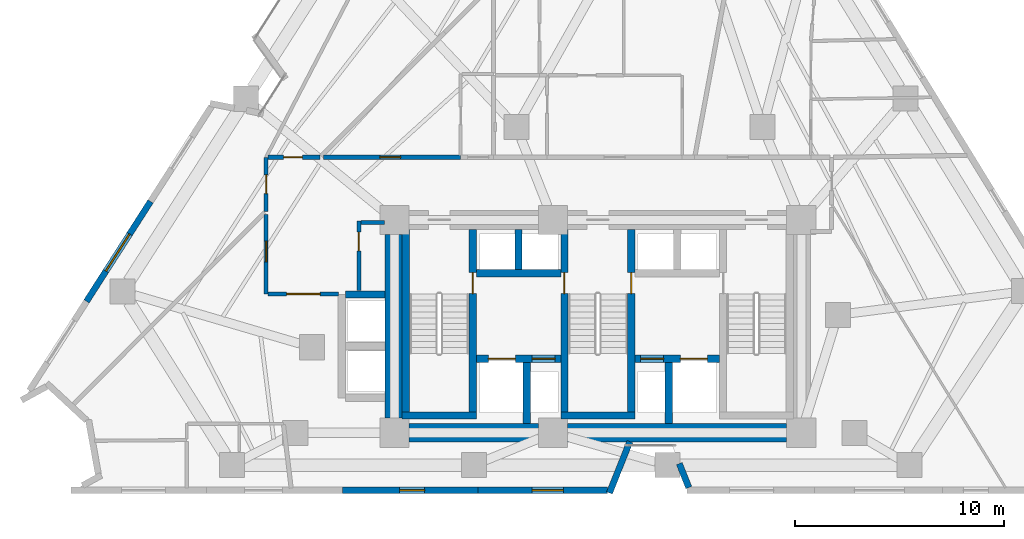
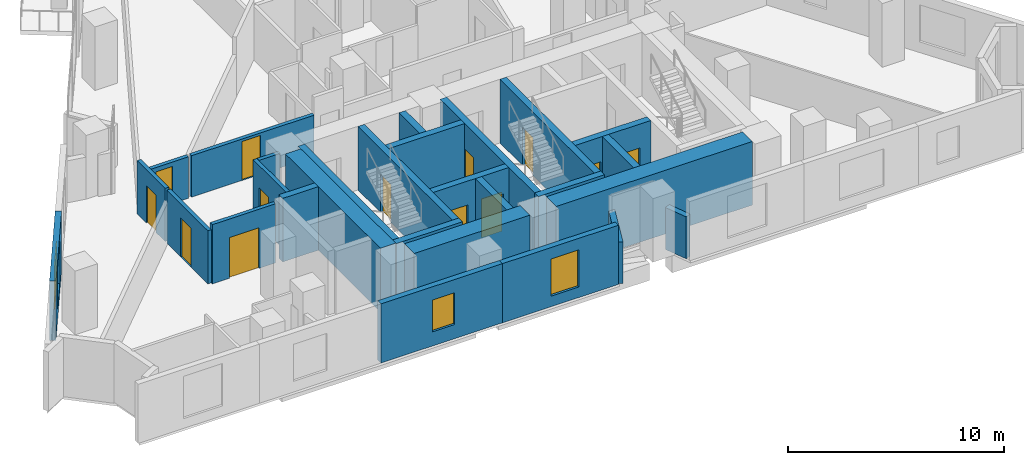
# One storey, part 6 of 13: 28 walls, 13 doors, 3 windows, 16 openings.
"""IFC4 building model written with IfcOpenShell, lengths in metres."""

from ifc_helpers import new_model, si_unit, direction, frame, frame_2d, origin, place, context, subcontext, project, spatial, rectangle, extrude, material, layer, layer_set, type_object, element, fill, save


model = new_model("IFC4")

# Units and contexts
model_context = context("Model", 3, precision=1e-05, world=origin(), true_north=direction((0.0, 1.0)))
body_context = subcontext(model_context, "Body", "Model", "MODEL_VIEW")
ifc_project = project(units=[si_unit("LENGTHUNIT", "METRE"), si_unit("AREAUNIT", "SQUARE_METRE"), si_unit("VOLUMEUNIT", "CUBIC_METRE"), si_unit("PLANEANGLEUNIT", "RADIAN"), si_unit("MASSUNIT", "GRAM", prefix="KILO")], contexts=[model_context])

# Site, building, storey
site_placement = place(None, origin())
site = spatial("IfcSite", under=ifc_project, at=site_placement, CompositionType="ELEMENT")
building_placement = place(site_placement, origin())
building = spatial("IfcBuilding", under=site, at=building_placement, Name="Almagre Mirador Tower", CompositionType="ELEMENT")
storey_placement = place(building_placement, frame((0.0, 0.0, 78.60009765625)))
storey = spatial("IfcBuildingStorey", under=building, at=storey_placement, Name="L19", CompositionType="ELEMENT", Elevation=78.60009765625)

# Walls
ifc_material_1 = material(Name="Precast concrete C50/60", Category="concrete")
ifc_layer_1 = layer(ifc_material_1, 0.300048828125)
ifc_layer_set_1 = layer_set([ifc_layer_1], Name="Precast concrete C50/60")
wall_type_1 = type_object("IfcWallType", Name="WAL-EXT-300", PredefinedType="SOLIDWALL", material=ifc_layer_set_1)
wall_1_placement = place(storey_placement, frame((41.658203125, 1.92529296875, 0.0), z_axis=(0.0, 0.0, 1.0), x_axis=(-0.369583004586, 0.929197719929, 0.0)))
element("IfcWall", 1, at=wall_1_placement, inside=storey, type_object=wall_type_1, Name="L19 expressed almagre precast frame wall 25", PredefinedType="SOLIDWALL", context=body_context, shape_type="SweptSolid", body=[
    extrude(rectangle(XDim=1.234619140625, YDim=0.300048828125, at=frame_2d((0.6171875, 0.0))), origin(), (0.0, 0.0, 1.0), 2.375),
])
wall_2_placement = place(storey_placement, frame((38.83251953125, 4.124755859375, 0.0), z_axis=(0.0, 0.0, 1.0), x_axis=(-0.369557636099, -0.929207809696, 0.0)))
element("IfcWall", 2, at=wall_2_placement, inside=storey, type_object=wall_type_1, Name="L19 expressed almagre precast frame wall 26", PredefinedType="SOLIDWALL", context=body_context, shape_type="SweptSolid", body=[
    extrude(rectangle(XDim=2.641845703125, YDim=0.300048828125, at=frame_2d((1.32080078125, 0.0))), origin(), (0.0, 0.0, 1.0), 2.349853515625),
])

# Wall, opening, window
wall_3_placement = place(storey_placement, frame((37.77294921875, 1.800048828125, 0.0), z_axis=(0.0, 0.0, 1.0), x_axis=(-1.0, 0.0, 0.0)))
wall_3 = element("IfcWall", 3, at=wall_3_placement, inside=storey, type_object=wall_type_1, Name="L19 expressed almagre precast frame wall 27", PredefinedType="SOLIDWALL", context=body_context, shape_type="SweptSolid", body=[
    extrude(rectangle(XDim=6.221923828125, YDim=0.300048828125, at=frame_2d((3.11083984375, 0.0))), origin(), (0.0, 0.0, 1.0), 3.349853515625),
])
opening_1_placement = place(wall_3_placement, frame((2.125, 0.0, 0.60009765625)))
opening_1 = element("IfcOpeningElement", 4, at=opening_1_placement, cuts=wall_3, Name="Opening WN-03", PredefinedType="OPENING", context=body_context, shape_type="SweptSolid", body=[
    extrude(rectangle(XDim=1.5, YDim=2.10009765625, at=frame_2d((0.75, 1.050048828125))), frame((0.0, 0.159902, 0.0), z_axis=(0.0, -1.0, 0.0), x_axis=(1.0, 0.0, 0.0)), (0.0, 0.0, 1.0), 0.320049),
])
ifc_material_2 = material(Name="Dark solar-control laminated hurricane glass", Category="glass")
window_type_1 = type_object("IfcWindowType", Name="WIN-1500X2100", PartitioningType="DOUBLE_PANEL_VERTICAL", PredefinedType="WINDOW", material=ifc_material_2)
window_1_placement = place(opening_1_placement, origin())
window_1 = element("IfcWindow", 5, at=window_1_placement, inside=storey, type_object=window_type_1, Name="L19 recessed hurricane window L19-RST-B", OverallHeight=2.10009765625, OverallWidth=1.5, PartitioningType="SINGLE_PANEL", PredefinedType="WINDOW", context=body_context, shape_type="SweptSolid", body=[
    extrude(rectangle(XDim=1.5, YDim=2.10009765625, at=frame_2d((0.75, 1.050048828125))), frame((0.0, 0.030029296875, 0.0), z_axis=(0.0, -1.0, 0.0), x_axis=(1.0, 0.0, 0.0)), (0.0, 0.0, 1.0), 0.06005859375),
])
fill(opening_1, window_1)

wall_4_placement = place(storey_placement, frame((31.551025390625, 1.800048828125, 0.0), z_axis=(0.0, 0.0, 1.0), x_axis=(-1.0, 0.0, 0.0)))
wall_4 = element("IfcWall", 6, at=wall_4_placement, inside=storey, type_object=wall_type_1, Name="L19 expressed almagre precast frame wall 28", PredefinedType="SOLIDWALL", context=body_context, shape_type="SweptSolid", body=[
    extrude(rectangle(XDim=6.4970703125, YDim=0.300048828125, at=frame_2d((3.24853515625, 0.0))), origin(), (0.0, 0.0, 1.0), 3.349853515625),
])
opening_2_placement = place(wall_4_placement, frame((2.550048828125, 0.0, 0.800048828125)))
opening_2 = element("IfcOpeningElement", 7, at=opening_2_placement, cuts=wall_4, Name="Opening WN-04", PredefinedType="OPENING", context=body_context, shape_type="SweptSolid", body=[
    extrude(rectangle(XDim=1.199951171875, YDim=1.800048828125, at=frame_2d((0.60009765625, 0.89990234375))), frame((0.0, 0.159902, 0.0), z_axis=(0.0, -1.0, 0.0), x_axis=(1.0, 0.0, 0.0)), (0.0, 0.0, 1.0), 0.320049),
])
ifc_material_3 = material(Name="Dark solar-control laminated hurricane glass", Category="glass")
window_type_2 = type_object("IfcWindowType", Name="WIN-1200X1800", PartitioningType="SINGLE_PANEL", PredefinedType="WINDOW", material=ifc_material_3)
window_2_placement = place(opening_2_placement, origin())
window_2 = element("IfcWindow", 8, at=window_2_placement, inside=storey, type_object=window_type_2, Name="L19 recessed hurricane window L19-RST-B", OverallHeight=1.800048828125, OverallWidth=1.199951171875, PartitioningType="SINGLE_PANEL", PredefinedType="WINDOW", context=body_context, shape_type="SweptSolid", body=[
    extrude(rectangle(XDim=1.199951171875, YDim=1.800048828125, at=frame_2d((0.60009765625, 0.89990234375))), frame((0.0, 0.030029296875, 0.0), z_axis=(0.0, -1.0, 0.0), x_axis=(1.0, 0.0, 0.0)), (0.0, 0.0, 1.0), 0.06005859375),
])
fill(opening_2, window_2)

wall_5_placement = place(storey_placement, frame((12.796875, 10.84765625, 0.0), z_axis=(0.0, 0.0, 1.0), x_axis=(0.539467898562, 0.842006167686, 0.0)))
wall_5 = element("IfcWall", 9, at=wall_5_placement, inside=storey, type_object=wall_type_1, Name="L19 expressed almagre precast frame wall 36", PredefinedType="SOLIDWALL", context=body_context, shape_type="SweptSolid", body=[
    extrude(rectangle(XDim=5.68603515625, YDim=0.300048828125, at=frame_2d((2.843017578125, 0.0))), origin(), (0.0, 0.0, 1.0), 3.349853515625),
])
opening_3_placement = place(wall_5_placement, frame((1.72509765625, 0.0, 0.550048828125)))
opening_3 = element("IfcOpeningElement", 10, at=opening_3_placement, cuts=wall_5, Name="Opening WN-05", PredefinedType="OPENING", context=body_context, shape_type="SweptSolid", body=[
    extrude(rectangle(XDim=2.10009765625, YDim=2.39990234375, at=frame_2d((1.050048828125, 1.199951171875))), frame((0.0, 0.159902, 0.0), z_axis=(0.0, -1.0, 0.0), x_axis=(1.0, 0.0, 0.0)), (0.0, 0.0, 1.0), 0.320049),
])
ifc_material_4 = material(Name="Dark solar-control laminated hurricane glass", Category="glass")
window_type_3 = type_object("IfcWindowType", Name="WIN-2100X2400", PartitioningType="DOUBLE_PANEL_VERTICAL", PredefinedType="WINDOW", material=ifc_material_4)
window_3_placement = place(opening_3_placement, origin())
window_3 = element("IfcWindow", 11, at=window_3_placement, inside=storey, type_object=window_type_3, Name="L19 recessed hurricane window L19-RST-E", OverallHeight=2.39990234375, OverallWidth=2.10009765625, PartitioningType="SINGLE_PANEL", PredefinedType="WINDOW", context=body_context, shape_type="SweptSolid", body=[
    extrude(rectangle(XDim=2.10009765625, YDim=2.39990234375, at=frame_2d((1.050048828125, 1.199951171875))), frame((0.0, 0.030029296875, 0.0), z_axis=(0.0, -1.0, 0.0), x_axis=(1.0, 0.0, 0.0)), (0.0, 0.0, 1.0), 0.06005859375),
])
fill(opening_3, window_3)

# Wall, opening, door
ifc_material_5 = material(Name="Gypsum acoustic stud partition", Category="other")
ifc_layer_2 = layer(ifc_material_5, 0.199951171875)
ifc_layer_set_2 = layer_set([ifc_layer_2], Name="Gypsum acoustic stud partition")
wall_type_2 = type_object("IfcWallType", Name="WAL-PRT-200-EI60", PredefinedType="PARTITIONING", material=ifc_layer_set_2)
wall_6_placement = place(storey_placement, frame((25.85009765625, 11.3701171875, 0.0), z_axis=(0.0, 0.0, 1.0), x_axis=(0.0, 1.0, 0.0)))
wall_6 = element("IfcWall", 12, at=wall_6_placement, inside=storey, type_object=wall_type_2, Name="L19 core ancillary west wall", PredefinedType="PARTITIONING", context=body_context, shape_type="SweptSolid", body=[
    extrude(rectangle(XDim=3.33984375, YDim=0.199951171875, at=frame_2d((1.669921875, 0.0))), origin(), (0.0, 0.0, 1.0), 3.349853515625),
])
opening_4_placement = place(wall_6_placement, frame((1.89990234375, 0.0, 0.0)))
opening_4 = element("IfcOpeningElement", 13, at=opening_4_placement, cuts=wall_6, Name="Opening ID-03", PredefinedType="OPENING", context=body_context, shape_type="SweptSolid", body=[
    extrude(rectangle(XDim=0.89990234375, YDim=2.10009765625, at=frame_2d((0.449951171875, 1.050048828125))), frame((0.0, 0.110098, 0.0), z_axis=(0.0, -1.0, 0.0), x_axis=(1.0, 0.0, 0.0)), (0.0, 0.0, 1.0), 0.219951),
])
ifc_material_6 = material(Name="Fire-rated hollow steel", Category="steel")
door_type_1 = type_object("IfcDoorType", Name="DOR-FD60-900X2100", OperationType="NOTDEFINED", PredefinedType="DOOR", material=ifc_material_6)
door_1_placement = place(opening_4_placement, origin())
door_1 = element("IfcDoor", 14, at=door_1_placement, inside=storey, type_object=door_type_1, Name="DR-0637 L19 core ancillary corridor door", OperationType="SINGLE_SWING_RIGHT", OverallHeight=2.10009765625, OverallWidth=0.89990234375, PredefinedType="DOOR", context=body_context, shape_type="SweptSolid", body=[
    extrude(rectangle(XDim=0.89990234375, YDim=2.10009765625, at=frame_2d((0.449951171875, 1.050048828125))), frame((0.0, 0.02490234375, 0.0), z_axis=(0.0, -1.0, 0.0), x_axis=(1.0, 0.0, 0.0)), (0.0, 0.0, 1.0), 0.050048828125),
])
fill(opening_4, door_1)

# Wall
wall_7_placement = place(storey_placement, frame((25.955078125, 14.6201171875, 0.0), z_axis=(0.0, 0.0, 1.0), x_axis=(1.0, 0.0, 0.0)))
element("IfcWall", 15, at=wall_7_placement, inside=storey, type_object=wall_type_2, Name="L19 core ancillary north wall", PredefinedType="PARTITIONING", context=body_context, shape_type="SweptSolid", body=[
    extrude(rectangle(XDim=1.1298828125, YDim=0.199951171875, at=frame_2d((0.56494140625, 0.0))), origin(), (0.0, 0.0, 1.0), 3.349853515625),
])

# Wall, opening, door
wall_8_placement = place(storey_placement, frame((21.39990234375, 15.0, 0.0), z_axis=(0.0, 0.0, 1.0), x_axis=(0.0, -1.0, 0.0)))
wall_8 = element("IfcWall", 16, at=wall_8_placement, inside=storey, type_object=wall_type_2, Name="L19 interior partition 001", PredefinedType="PARTITIONING", context=body_context, shape_type="SweptSolid", body=[
    extrude(rectangle(XDim=3.800048828125, YDim=0.199951171875, at=frame_2d((1.89990234375, 0.0))), origin(), (0.0, 0.0, 1.0), 3.010009765625),
])
opening_5_placement = place(wall_8_placement, frame((1.26171875, 0.0, 0.0)))
opening_5 = element("IfcOpeningElement", 17, at=opening_5_placement, cuts=wall_8, Name="Opening ID-01", PredefinedType="OPENING", context=body_context, shape_type="SweptSolid", body=[
    extrude(rectangle(XDim=1.0, YDim=2.199951171875, at=frame_2d((0.5, 1.10009765625))), frame((0.0, 0.110098, 0.0), z_axis=(0.0, -1.0, 0.0), x_axis=(1.0, 0.0, 0.0)), (0.0, 0.0, 1.0), 0.219951),
])
ifc_material_7 = material(Name="Fire-rated walnut timber", Category="wood")
door_type_2 = type_object("IfcDoorType", Name="DOR-FD60-1000X2200", OperationType="NOTDEFINED", PredefinedType="DOOR", material=ifc_material_7)
door_2_placement = place(opening_5_placement, origin())
door_2 = element("IfcDoor", 18, at=door_2_placement, inside=storey, type_object=door_type_2, Name="DR-0646 L19 interior door L19-RCOR to L19-UA-ST", OperationType="SINGLE_SWING_RIGHT", OverallHeight=2.199951171875, OverallWidth=1.0, PredefinedType="DOOR", context=body_context, shape_type="SweptSolid", body=[
    extrude(rectangle(XDim=1.0, YDim=2.199951171875, at=frame_2d((0.5, 1.10009765625))), frame((0.0, 0.02490234375, 0.0), z_axis=(0.0, -1.0, 0.0), x_axis=(1.0, 0.0, 0.0)), (0.0, 0.0, 1.0), 0.050048828125),
])
fill(opening_5, door_2)

wall_9_placement = place(storey_placement, frame((21.485107421875, 11.199951171875, 0.0), z_axis=(0.0, 0.0, 1.0), x_axis=(1.0, 0.0, 0.0)))
wall_9 = element("IfcWall", 19, at=wall_9_placement, inside=storey, type_object=wall_type_2, Name="L19 interior partition 002", PredefinedType="PARTITIONING", context=body_context, shape_type="SweptSolid", body=[
    extrude(rectangle(XDim=3.384033203125, YDim=0.199951171875, at=frame_2d((1.69189453125, 0.0))), origin(), (0.0, 0.0, 1.0), 3.349853515625),
])
opening_6_placement = place(wall_9_placement, frame((0.905029296875, 0.0, 0.0)))
opening_6 = element("IfcOpeningElement", 20, at=opening_6_placement, cuts=wall_9, Name="Opening ID-05", PredefinedType="OPENING", context=body_context, shape_type="SweptSolid", body=[
    extrude(rectangle(XDim=1.60009765625, YDim=2.300048828125, at=frame_2d((0.800048828125, 1.14990234375))), frame((0.0, 0.110098, 0.0), z_axis=(0.0, -1.0, 0.0), x_axis=(1.0, 0.0, 0.0)), (0.0, 0.0, 1.0), 0.219951),
])
ifc_material_8 = material(Name="Fire-rated acoustic timber", Category="wood")
door_type_3 = type_object("IfcDoorType", Name="DOR-FD60-1600X2300", OperationType="DOUBLE_DOOR_SINGLE_SWING", PredefinedType="DOOR", material=ifc_material_8)
door_3_placement = place(opening_6_placement, origin())
door_3 = element("IfcDoor", 21, at=door_3_placement, inside=storey, type_object=door_type_3, Name="DR-0642 L19 interior door L19-RCOR to L19-RST-B", OperationType="DOUBLE_DOOR_SINGLE_SWING", OverallHeight=2.300048828125, OverallWidth=1.60009765625, PredefinedType="DOOR", context=body_context, shape_type="SweptSolid", body=[
    extrude(rectangle(XDim=1.60009765625, YDim=2.300048828125, at=frame_2d((0.800048828125, 1.14990234375))), frame((0.0, 0.02490234375, 0.0), z_axis=(0.0, -1.0, 0.0), x_axis=(1.0, 0.0, 0.0)), (0.0, 0.0, 1.0), 0.050048828125),
])
fill(opening_6, door_3)

wall_10_placement = place(storey_placement, frame((21.39990234375, 17.75, 0.0), z_axis=(0.0, 0.0, 1.0), x_axis=(0.0, -1.0, 0.0)))
wall_10 = element("IfcWall", 22, at=wall_10_placement, inside=storey, type_object=wall_type_2, Name="L19 interior partition 006", PredefinedType="PARTITIONING", context=body_context, shape_type="SweptSolid", body=[
    extrude(rectangle(XDim=2.590087890625, YDim=0.199951171875, at=frame_2d((1.294921875, 0.0))), origin(), (0.0, 0.0, 1.0), 3.010009765625),
])
opening_7_placement = place(wall_10_placement, frame((0.844970703125, 0.0, 0.0)))
opening_7 = element("IfcOpeningElement", 23, at=opening_7_placement, cuts=wall_10, Name="Opening ID-03", PredefinedType="OPENING", context=body_context, shape_type="SweptSolid", body=[
    extrude(rectangle(XDim=0.89990234375, YDim=2.10009765625, at=frame_2d((0.449951171875, 1.050048828125))), frame((0.0, 0.110098, 0.0), z_axis=(0.0, -1.0, 0.0), x_axis=(1.0, 0.0, 0.0)), (0.0, 0.0, 1.0), 0.219951),
])
door_4_placement = place(opening_7_placement, origin())
door_4 = element("IfcDoor", 24, at=door_4_placement, inside=storey, type_object=door_type_1, Name="DR-0644 L19 interior door L19-RCOR to L19-RST-E", OperationType="SINGLE_SWING_RIGHT", OverallHeight=2.10009765625, OverallWidth=0.89990234375, PredefinedType="DOOR", context=body_context, shape_type="SweptSolid", body=[
    extrude(rectangle(XDim=0.89990234375, YDim=2.10009765625, at=frame_2d((0.449951171875, 1.050048828125))), frame((0.0, 0.02490234375, 0.0), z_axis=(0.0, -1.0, 0.0), x_axis=(1.0, 0.0, 0.0)), (0.0, 0.0, 1.0), 0.050048828125),
])
fill(opening_7, door_4)

wall_11_placement = place(storey_placement, frame((30.719970703125, 17.75, 0.0), z_axis=(0.0, 0.0, 1.0), x_axis=(-1.0, 0.0, 0.0)))
wall_11 = element("IfcWall", 25, at=wall_11_placement, inside=storey, type_object=wall_type_2, Name="L19 interior partition 007", PredefinedType="PARTITIONING", context=body_context, shape_type="SweptSolid", body=[
    extrude(rectangle(XDim=6.570068359375, YDim=0.199951171875, at=frame_2d((3.28515625, 0.0))), origin(), (0.0, 0.0, 1.0), 2.344970703125),
])
opening_8_placement = place(wall_11_placement, frame((2.864990234375, 0.0, 0.0)))
opening_8 = element("IfcOpeningElement", 26, at=opening_8_placement, cuts=wall_11, Name="Opening ID-01", PredefinedType="OPENING", context=body_context, shape_type="SweptSolid", body=[
    extrude(rectangle(XDim=1.0, YDim=2.199951171875, at=frame_2d((0.5, 1.10009765625))), frame((0.0, 0.110098, 0.0), z_axis=(0.0, -1.0, 0.0), x_axis=(1.0, 0.0, 0.0)), (0.0, 0.0, 1.0), 0.219951),
])
door_5_placement = place(opening_8_placement, origin())
door_5 = element("IfcDoor", 27, at=door_5_placement, inside=storey, type_object=door_type_2, Name="DR-0647 L19 interior door L19-RCOR to L19-UF-ST", OperationType="SINGLE_SWING_RIGHT", OverallHeight=2.199951171875, OverallWidth=1.0, PredefinedType="DOOR", context=body_context, shape_type="SweptSolid", body=[
    extrude(rectangle(XDim=1.0, YDim=2.199951171875, at=frame_2d((0.5, 1.10009765625))), frame((0.0, 0.02490234375, 0.0), z_axis=(0.0, -1.0, 0.0), x_axis=(1.0, 0.0, 0.0)), (0.0, 0.0, 1.0), 0.050048828125),
])
fill(opening_8, door_5)

wall_12_placement = place(storey_placement, frame((23.989990234375, 17.75, 0.0), z_axis=(0.0, 0.0, 1.0), x_axis=(-1.0, 0.0, 0.0)))
wall_12 = element("IfcWall", 28, at=wall_12_placement, inside=storey, type_object=wall_type_2, Name="L19 interior partition 009", PredefinedType="PARTITIONING", context=body_context, shape_type="SweptSolid", body=[
    extrude(rectangle(XDim=2.5048828125, YDim=0.199951171875, at=frame_2d((1.25244140625, 0.0))), origin(), (0.0, 0.0, 1.0), 2.344970703125),
])
opening_9_placement = place(wall_12_placement, frame((0.844970703125, 0.0, 0.0)))
opening_9 = element("IfcOpeningElement", 29, at=opening_9_placement, cuts=wall_12, Name="Opening ID-03", PredefinedType="OPENING", context=body_context, shape_type="SweptSolid", body=[
    extrude(rectangle(XDim=0.89990234375, YDim=2.10009765625, at=frame_2d((0.449951171875, 1.050048828125))), frame((0.0, 0.110098, 0.0), z_axis=(0.0, -1.0, 0.0), x_axis=(1.0, 0.0, 0.0)), (0.0, 0.0, 1.0), 0.219951),
])
door_6_placement = place(opening_9_placement, origin())
door_6 = element("IfcDoor", 30, at=door_6_placement, inside=storey, type_object=door_type_1, Name="DR-0645 L19 interior door L19-RCOR to L19-RST-G", OperationType="SINGLE_SWING_LEFT", OverallHeight=2.10009765625, OverallWidth=0.89990234375, PredefinedType="DOOR", context=body_context, shape_type="SweptSolid", body=[
    extrude(rectangle(XDim=0.89990234375, YDim=2.10009765625, at=frame_2d((0.449951171875, 1.050048828125))), frame((0.0, 0.02490234375, 0.0), z_axis=(0.0, -1.0, 0.0), x_axis=(1.0, 0.0, 0.0)), (0.0, 0.0, 1.0), 0.050048828125),
])
fill(opening_9, door_6)

# Wall
ifc_material_9 = material(Name="Concrete C60/75", Category="concrete")
ifc_layer_3 = layer(ifc_material_9, 0.35009765625)
ifc_layer_set_3 = layer_set([ifc_layer_3], Name="Concrete C60/75")
wall_type_3 = type_object("IfcWallType", Name="WAL-SHF-350", PredefinedType="SOLIDWALL", material=ifc_layer_set_3)
wall_13_placement = place(storey_placement, frame((28.10009765625, 5.199951171875, 0.0), z_axis=(0.0, 0.0, 1.0), x_axis=(0.0, 1.0, 0.0)))
element("IfcWall", 31, at=wall_13_placement, inside=storey, type_object=wall_type_3, Name="L19 shaft wall ST1-W", PredefinedType="SOLIDWALL", context=body_context, shape_type="SweptSolid", body=[
    extrude(rectangle(XDim=9.10009765625, YDim=0.35009765625, at=frame_2d((4.550048828125, 0.0))), origin(), (0.0, 0.0, 1.0), 3.599853515625),
])

# Wall, opening, door
wall_14_placement = place(storey_placement, frame((31.300048828125, 5.199951171875, 0.0), z_axis=(0.0, 0.0, 1.0), x_axis=(0.0, 1.0, 0.0)))
wall_14 = element("IfcWall", 32, at=wall_14_placement, inside=storey, type_object=wall_type_3, Name="L19 shaft wall ST1-E", PredefinedType="SOLIDWALL", context=body_context, shape_type="SweptSolid", body=[
    extrude(rectangle(XDim=9.10009765625, YDim=0.35009765625, at=frame_2d((4.550048828125, 0.0))), origin(), (0.0, 0.0, 1.0), 3.599853515625),
])
opening_10_placement = place(wall_14_placement, frame((6.02001953125, 0.0, 0.0)))
opening_10 = element("IfcOpeningElement", 33, at=opening_10_placement, cuts=wall_14, Name="Opening FD-01", PredefinedType="OPENING", context=body_context, shape_type="SweptSolid", body=[
    extrude(rectangle(XDim=1.0, YDim=2.14990234375, at=frame_2d((0.5, 1.074951171875))), frame((0.0, 0.185049, 0.0), z_axis=(0.0, -1.0, 0.0), x_axis=(1.0, 0.0, 0.0)), (0.0, 0.0, 1.0), 0.370098),
])
ifc_material_10 = material(Name="Fire-rated hollow steel", Category="steel")
door_type_4 = type_object("IfcDoorType", Name="DOR-FFL-1000X2150", OperationType="NOTDEFINED", PredefinedType="DOOR", material=ifc_material_10)
door_7_placement = place(opening_10_placement, origin())
door_7 = element("IfcDoor", 34, at=door_7_placement, inside=storey, type_object=door_type_4, Name="DR-0638 L19 FFL1-ST1 smokeproof door", OperationType="SINGLE_SWING_RIGHT", OverallHeight=2.14990234375, OverallWidth=1.0, PredefinedType="DOOR", context=body_context, shape_type="SweptSolid", body=[
    extrude(rectangle(XDim=1.0, YDim=2.14990234375, at=frame_2d((0.5, 1.074951171875))), frame((0.0, 0.02490234375, 0.0), z_axis=(0.0, -1.0, 0.0), x_axis=(1.0, 0.0, 0.0)), (0.0, 0.0, 1.0), 0.050048828125),
])
fill(opening_10, door_7)

# Wall
wall_15_placement = place(storey_placement, frame((27.925048828125, 5.375, 0.0), z_axis=(0.0, 0.0, 1.0), x_axis=(1.0, 0.0, 0.0)))
element("IfcWall", 35, at=wall_15_placement, inside=storey, type_object=wall_type_3, Name="L19 shaft wall ST1-S", PredefinedType="SOLIDWALL", context=body_context, shape_type="SweptSolid", body=[
    extrude(rectangle(XDim=3.550048828125, YDim=0.35009765625, at=frame_2d((1.77490234375, 0.0))), origin(), (0.0, 0.0, 1.0), 3.599853515625),
])

# Wall, opening, door
wall_16_placement = place(storey_placement, frame((35.699951171875, 5.199951171875, 0.0), z_axis=(0.0, 0.0, 1.0), x_axis=(0.0, 1.0, 0.0)))
wall_16 = element("IfcWall", 36, at=wall_16_placement, inside=storey, type_object=wall_type_3, Name="L19 shaft wall ST2-W", PredefinedType="SOLIDWALL", context=body_context, shape_type="SweptSolid", body=[
    extrude(rectangle(XDim=9.10009765625, YDim=0.35009765625, at=frame_2d((4.550048828125, 0.0))), origin(), (0.0, 0.0, 1.0), 3.599853515625),
])
opening_11_placement = place(wall_16_placement, frame((6.02001953125, 0.0, 0.0)))
opening_11 = element("IfcOpeningElement", 37, at=opening_11_placement, cuts=wall_16, Name="Opening FD-01", PredefinedType="OPENING", context=body_context, shape_type="SweptSolid", body=[
    extrude(rectangle(XDim=1.0, YDim=2.14990234375, at=frame_2d((0.5, 1.074951171875))), frame((0.0, 0.185049, 0.0), z_axis=(0.0, -1.0, 0.0), x_axis=(1.0, 0.0, 0.0)), (0.0, 0.0, 1.0), 0.370098),
])
door_8_placement = place(opening_11_placement, origin())
door_8 = element("IfcDoor", 38, at=door_8_placement, inside=storey, type_object=door_type_4, Name="DR-0639 L19 FFL1-ST2 smokeproof door", OperationType="SINGLE_SWING_LEFT", OverallHeight=2.14990234375, OverallWidth=1.0, PredefinedType="DOOR", context=body_context, shape_type="SweptSolid", body=[
    extrude(rectangle(XDim=1.0, YDim=2.14990234375, at=frame_2d((0.5, 1.074951171875))), frame((0.0, 0.02490234375, 0.0), z_axis=(0.0, -1.0, 0.0), x_axis=(1.0, 0.0, 0.0)), (0.0, 0.0, 1.0), 0.050048828125),
])
fill(opening_11, door_8)

wall_17_placement = place(storey_placement, frame((38.89990234375, 5.199951171875, 0.0), z_axis=(0.0, 0.0, 1.0), x_axis=(0.0, 1.0, 0.0)))
wall_17 = element("IfcWall", 39, at=wall_17_placement, inside=storey, type_object=wall_type_3, Name="L19 shaft wall ST2-E", PredefinedType="SOLIDWALL", context=body_context, shape_type="SweptSolid", body=[
    extrude(rectangle(XDim=9.10009765625, YDim=0.35009765625, at=frame_2d((4.550048828125, 0.0))), origin(), (0.0, 0.0, 1.0), 3.599853515625),
])
opening_12_placement = place(wall_17_placement, frame((6.02001953125, 0.0, 0.0)))
opening_12 = element("IfcOpeningElement", 40, at=opening_12_placement, cuts=wall_17, Name="Opening FD-01", PredefinedType="OPENING", context=body_context, shape_type="SweptSolid", body=[
    extrude(rectangle(XDim=1.0, YDim=2.14990234375, at=frame_2d((0.5, 1.074951171875))), frame((0.0, 0.185049, 0.0), z_axis=(0.0, -1.0, 0.0), x_axis=(1.0, 0.0, 0.0)), (0.0, 0.0, 1.0), 0.370098),
])
door_9_placement = place(opening_12_placement, origin())
door_9 = element("IfcDoor", 41, at=door_9_placement, inside=storey, type_object=door_type_4, Name="DR-0640 L19 FFL2-ST2 smokeproof door", OperationType="SINGLE_SWING_RIGHT", OverallHeight=2.14990234375, OverallWidth=1.0, PredefinedType="DOOR", context=body_context, shape_type="SweptSolid", body=[
    extrude(rectangle(XDim=1.0, YDim=2.14990234375, at=frame_2d((0.5, 1.074951171875))), frame((0.0, 0.02490234375, 0.0), z_axis=(0.0, -1.0, 0.0), x_axis=(1.0, 0.0, 0.0)), (0.0, 0.0, 1.0), 0.050048828125),
])
fill(opening_12, door_9)

# Wall
wall_18_placement = place(storey_placement, frame((35.52490234375, 5.375, 0.0), z_axis=(0.0, 0.0, 1.0), x_axis=(1.0, 0.0, 0.0)))
element("IfcWall", 42, at=wall_18_placement, inside=storey, type_object=wall_type_3, Name="L19 shaft wall ST2-S", PredefinedType="SOLIDWALL", context=body_context, shape_type="SweptSolid", body=[
    extrude(rectangle(XDim=3.550048828125, YDim=0.35009765625, at=frame_2d((1.77490234375, 0.0))), origin(), (0.0, 0.0, 1.0), 3.599853515625),
])

# Wall, openings, doors
wall_19_placement = place(storey_placement, frame((31.47509765625, 8.10009765625, 0.0), z_axis=(0.0, 0.0, 1.0), x_axis=(1.0, 0.0, 0.0)))
wall_19 = element("IfcWall", 43, at=wall_19_placement, inside=storey, type_object=wall_type_3, Name="L19 shaft wall FSAE1-N", PredefinedType="SOLIDWALL", context=body_context, shape_type="SweptSolid", body=[
    extrude(rectangle(XDim=4.0498046875, YDim=0.35009765625, at=frame_2d((2.02490234375, 0.0))), origin(), (0.0, 0.0, 1.0), 3.599853515625),
])
opening_13_placement = place(wall_19_placement, frame((0.574951171875, 0.0, 0.0)))
opening_13 = element("IfcOpeningElement", 44, at=opening_13_placement, cuts=wall_19, Name="Opening LD-03", PredefinedType="OPENING", context=body_context, shape_type="SweptSolid", body=[
    extrude(rectangle(XDim=1.300048828125, YDim=2.25, at=frame_2d((0.64990234375, 1.125))), frame((0.0, 0.185049, 0.0), z_axis=(0.0, -1.0, 0.0), x_axis=(1.0, 0.0, 0.0)), (0.0, 0.0, 1.0), 0.370098),
])
opening_14_placement = place(wall_19_placement, frame((2.675048828125, 0.0, 0.0)))
opening_14 = element("IfcOpeningElement", 45, at=opening_14_placement, cuts=wall_19, Name="Opening LD-01", PredefinedType="OPENING", context=body_context, shape_type="SweptSolid", body=[
    extrude(rectangle(XDim=1.10009765625, YDim=2.199951171875, at=frame_2d((0.550048828125, 1.10009765625))), frame((0.0, 0.185049, 0.0), z_axis=(0.0, -1.0, 0.0), x_axis=(1.0, 0.0, 0.0)), (0.0, 0.0, 1.0), 0.370098),
])
ifc_material_11 = material(Name="Hollow stainless steel", Category="steel")
door_type_5 = type_object("IfcDoorType", Name="DOR-LD-1100X2200", OperationType="DOUBLE_DOOR_SLIDING", PredefinedType="DOOR", material=ifc_material_11)
door_10_placement = place(opening_14_placement, origin())
door_10 = element("IfcDoor", 46, at=door_10_placement, inside=storey, type_object=door_type_5, Name="DR-0669 L19 PL-L1 lift landing door", OperationType="DOUBLE_DOOR_SLIDING", OverallHeight=2.199951171875, OverallWidth=1.10009765625, PredefinedType="DOOR", context=body_context, shape_type="SweptSolid", body=[
    extrude(rectangle(XDim=1.10009765625, YDim=2.199951171875, at=frame_2d((0.550048828125, 1.10009765625))), frame((0.0, 0.02490234375, 0.0), z_axis=(0.0, -1.0, 0.0), x_axis=(1.0, 0.0, 0.0)), (0.0, 0.0, 1.0), 0.050048828125),
])
fill(opening_14, door_10)
ifc_material_12 = material(Name="Hollow stainless steel", Category="steel")
door_type_6 = type_object("IfcDoorType", Name="DOR-LD-1300X2250", OperationType="DOUBLE_DOOR_SLIDING", PredefinedType="DOOR", material=ifc_material_12)
door_11_placement = place(opening_13_placement, origin())
door_11 = element("IfcDoor", 47, at=door_11_placement, inside=storey, type_object=door_type_6, Name="DR-0667 L19 FSAE-1 lift landing door", OperationType="DOUBLE_DOOR_SLIDING", OverallHeight=2.25, OverallWidth=1.300048828125, PredefinedType="DOOR", context=body_context, shape_type="SweptSolid", body=[
    extrude(rectangle(XDim=1.300048828125, YDim=2.25, at=frame_2d((0.64990234375, 1.125))), frame((0.0, 0.02490234375, 0.0), z_axis=(0.0, -1.0, 0.0), x_axis=(1.0, 0.0, 0.0)), (0.0, 0.0, 1.0), 0.050048828125),
])
fill(opening_13, door_11)

wall_20_placement = place(storey_placement, frame((39.074951171875, 8.10009765625, 0.0), z_axis=(0.0, 0.0, 1.0), x_axis=(1.0, 0.0, 0.0)))
wall_20 = element("IfcWall", 48, at=wall_20_placement, inside=storey, type_object=wall_type_3, Name="L19 shaft wall FSAE2-N", PredefinedType="SOLIDWALL", context=body_context, shape_type="SweptSolid", body=[
    extrude(rectangle(XDim=4.050048828125, YDim=0.35009765625, at=frame_2d((2.02490234375, 0.0))), origin(), (0.0, 0.0, 1.0), 3.599853515625),
])
opening_15_placement = place(wall_20_placement, frame((2.175048828125, 0.0, 0.0)))
opening_15 = element("IfcOpeningElement", 49, at=opening_15_placement, cuts=wall_20, Name="Opening LD-03", PredefinedType="OPENING", context=body_context, shape_type="SweptSolid", body=[
    extrude(rectangle(XDim=1.300048828125, YDim=2.25, at=frame_2d((0.64990234375, 1.125))), frame((0.0, 0.185049, 0.0), z_axis=(0.0, -1.0, 0.0), x_axis=(1.0, 0.0, 0.0)), (0.0, 0.0, 1.0), 0.370098),
])
opening_16_placement = place(wall_20_placement, frame((0.27490234375, 0.0, 0.0)))
opening_16 = element("IfcOpeningElement", 50, at=opening_16_placement, cuts=wall_20, Name="Opening LD-01", PredefinedType="OPENING", context=body_context, shape_type="SweptSolid", body=[
    extrude(rectangle(XDim=1.10009765625, YDim=2.199951171875, at=frame_2d((0.550048828125, 1.10009765625))), frame((0.0, 0.185049, 0.0), z_axis=(0.0, -1.0, 0.0), x_axis=(1.0, 0.0, 0.0)), (0.0, 0.0, 1.0), 0.370098),
])
door_12_placement = place(opening_16_placement, origin())
door_12 = element("IfcDoor", 51, at=door_12_placement, inside=storey, type_object=door_type_5, Name="DR-0670 L19 PL-L2 lift landing door", OperationType="DOUBLE_DOOR_SLIDING", OverallHeight=2.199951171875, OverallWidth=1.10009765625, PredefinedType="DOOR", context=body_context, shape_type="SweptSolid", body=[
    extrude(rectangle(XDim=1.10009765625, YDim=2.199951171875, at=frame_2d((0.550048828125, 1.10009765625))), frame((0.0, 0.02490234375, 0.0), z_axis=(0.0, -1.0, 0.0), x_axis=(1.0, 0.0, 0.0)), (0.0, 0.0, 1.0), 0.050048828125),
])
fill(opening_16, door_12)
door_13_placement = place(opening_15_placement, origin())
door_13 = element("IfcDoor", 52, at=door_13_placement, inside=storey, type_object=door_type_6, Name="DR-0668 L19 FSAE-2 lift landing door", OperationType="DOUBLE_DOOR_SLIDING", OverallHeight=2.25, OverallWidth=1.300048828125, PredefinedType="DOOR", context=body_context, shape_type="SweptSolid", body=[
    extrude(rectangle(XDim=1.300048828125, YDim=2.25, at=frame_2d((0.64990234375, 1.125))), frame((0.0, 0.02490234375, 0.0), z_axis=(0.0, -1.0, 0.0), x_axis=(1.0, 0.0, 0.0)), (0.0, 0.0, 1.0), 0.050048828125),
])
fill(opening_15, door_13)

# Walls
for number, where, z_axis, x_axis, name in (
    (53, (33.89990234375, 5.0, 0.0), (0.0, 0.0, 1.0), (0.0, 1.0, 0.0), "L19 shaft wall FSAE1-E"),
    (54, (40.699951171875, 5.0, 0.0), (0.0, 0.0, 1.0), (0.0, 1.0, 0.0), "L19 shaft wall FSAE2-W"),
):
    element("IfcWall", number, at=place(storey_placement, frame(where, z_axis=z_axis, x_axis=x_axis)), inside=storey, type_object=wall_type_3, Name=name, PredefinedType="SOLIDWALL", context=body_context, shape_type="SweptSolid", body=[
        extrude(rectangle(XDim=2.925048828125, YDim=0.35009765625, at=frame_2d((1.46240234375, 0.0))), origin(), (0.0, 0.0, 1.0), 3.599853515625),
    ])
wall_21_placement = place(storey_placement, frame((31.47509765625, 12.199951171875, 0.0), z_axis=(0.0, 0.0, 1.0), x_axis=(1.0, 0.0, 0.0)))
element("IfcWall", 55, at=wall_21_placement, inside=storey, type_object=wall_type_3, Name="L19 shaft wall PLM-S", PredefinedType="SOLIDWALL", context=body_context, shape_type="SweptSolid", body=[
    extrude(rectangle(XDim=4.0498046875, YDim=0.35009765625, at=frame_2d((2.02490234375, 0.0))), origin(), (0.0, 0.0, 1.0), 3.599853515625),
])
wall_22_placement = place(storey_placement, frame((33.5, 12.375, 0.0), z_axis=(0.0, 0.0, 1.0), x_axis=(0.0, 1.0, 0.0)))
element("IfcWall", 56, at=wall_22_placement, inside=storey, type_object=wall_type_3, Name="L19 shaft wall PLM-M", PredefinedType="SOLIDWALL", context=body_context, shape_type="SweptSolid", body=[
    extrude(rectangle(XDim=1.925048828125, YDim=0.35009765625, at=frame_2d((0.96240234375, 0.0))), origin(), (0.0, 0.0, 1.0), 3.599853515625),
])
wall_23_placement = place(storey_placement, frame((25.199951171875, 11.175048828125, 0.0), z_axis=(0.0, 0.0, 1.0), x_axis=(1.0, 0.0, 0.0)))
element("IfcWall", 57, at=wall_23_placement, inside=storey, type_object=wall_type_3, Name="L19 shaft wall OL-N", PredefinedType="SOLIDWALL", context=body_context, shape_type="SweptSolid", body=[
    extrude(rectangle(XDim=1.900146484375, YDim=0.35009765625, at=frame_2d((0.9501953125, 0.0))), origin(), (0.0, 0.0, 1.0), 3.599853515625),
])
ifc_material_13 = material(Name="Concrete C70/85", Category="concrete")
ifc_layer_4 = layer(ifc_material_13, 0.89990234375)
ifc_layer_set_4 = layer_set([ifc_layer_4], Name="Concrete C70/85")
wall_type_4 = type_object("IfcWallType", Name="WAL-SHR-900", PredefinedType="SHEAR", material=ifc_layer_set_4)
wall_24_placement = place(storey_placement, frame((28.25, 4.550048828125, 0.0), z_axis=(0.0, 0.0, 1.0), x_axis=(1.0, 0.0, 0.0)))
element("IfcWall", 58, at=wall_24_placement, inside=storey, type_object=wall_type_4, Name="L19 core shear wall S1", PredefinedType="SHEAR", context=body_context, shape_type="SweptSolid", body=[
    extrude(rectangle(XDim=6.199951171875, YDim=0.89990234375, at=frame_2d((3.10009765625, 0.0))), origin(), (0.0, 0.0, 1.0), 3.599853515625),
])
wall_25_placement = place(storey_placement, frame((35.85009765625, 4.550048828125, 0.0), z_axis=(0.0, 0.0, 1.0), x_axis=(1.0, 0.0, 0.0)))
element("IfcWall", 59, at=wall_25_placement, inside=storey, type_object=wall_type_4, Name="L19 core shear wall S2", PredefinedType="SHEAR", context=body_context, shape_type="SweptSolid", body=[
    extrude(rectangle(XDim=10.5, YDim=0.89990234375, at=frame_2d((5.25, 0.0))), origin(), (0.0, 0.0, 1.0), 3.599853515625),
])
wall_26_placement = place(storey_placement, frame((27.550048828125, 5.25, 0.0), z_axis=(0.0, 0.0, 1.0), x_axis=(0.0, 1.0, 0.0)))
element("IfcWall", 60, at=wall_26_placement, inside=storey, type_object=wall_type_4, Name="L19 core shear wall W1", PredefinedType="SHEAR", context=body_context, shape_type="SweptSolid", body=[
    extrude(rectangle(XDim=8.800048828125, YDim=0.89990234375, at=frame_2d((4.39990234375, 0.0))), origin(), (0.0, 0.0, 1.0), 3.599853515625),
])

save(model, "model.ifc")
